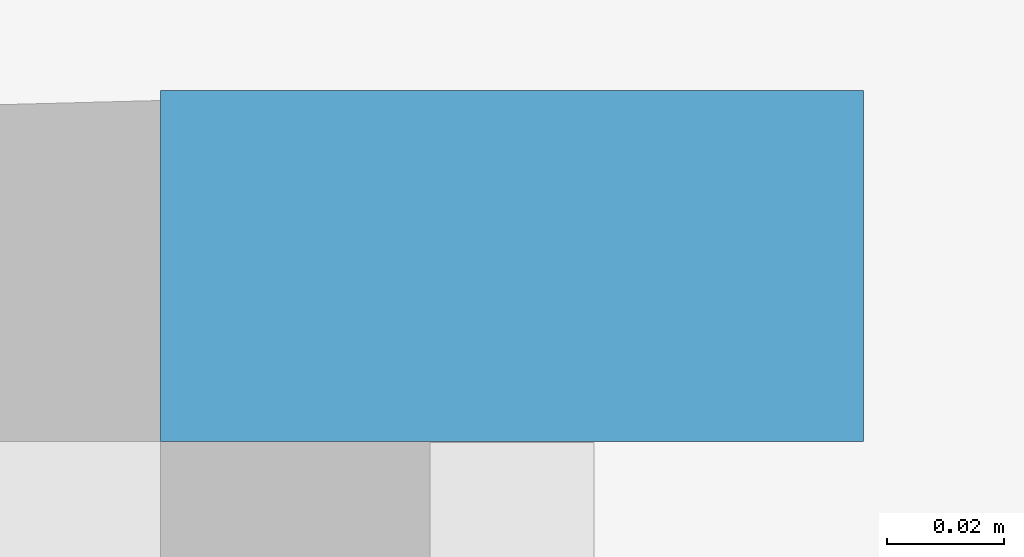
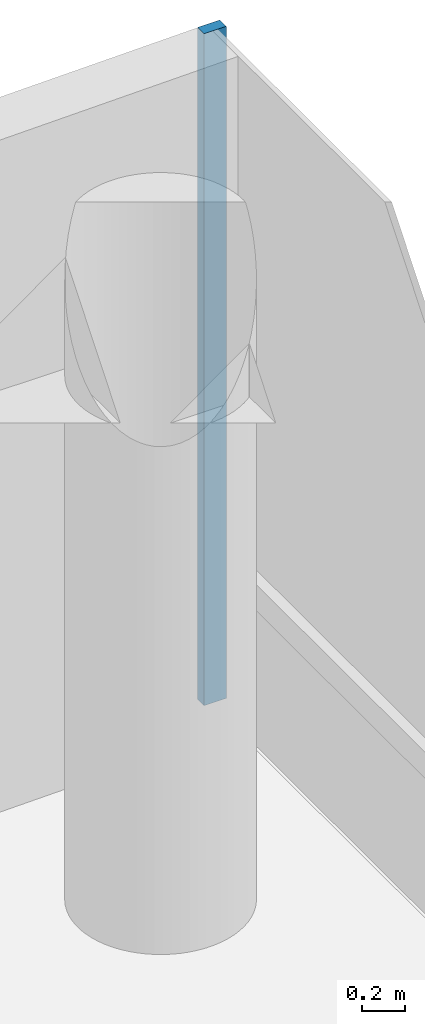
# One storey, part 14 of 20: 1 member, 1 element without a shape of its own.
"""IFC4 building model written with IfcOpenShell, lengths in metres."""

from ifc_helpers import new_model, si_unit, direction, frame, origin, origin_2d, place, context, subcontext, project, spatial, rectangle, extrude, material, layer, layer_set, material_profile, profile_set, type_object, element, aggregate, save


model = new_model("IFC4")

# Units and contexts
model_context = context("Model", 3, precision=1e-05, world=origin(), true_north=direction((0.0, 1.0)))
body_context = subcontext(model_context, "Body", "Model", "MODEL_VIEW")
ifc_project = project(units=[si_unit("LENGTHUNIT", "METRE"), si_unit("AREAUNIT", "SQUARE_METRE"), si_unit("VOLUMEUNIT", "CUBIC_METRE"), si_unit("PLANEANGLEUNIT", "RADIAN"), si_unit("MASSUNIT", "GRAM", prefix="KILO")], contexts=[model_context])

# Site, building, storey
site_placement = place(None, origin())
site = spatial("IfcSite", under=ifc_project, at=site_placement, CompositionType="ELEMENT")
building_placement = place(site_placement, origin())
building = spatial("IfcBuilding", under=site, at=building_placement, Name="Welwitschia Terrace Campus", CompositionType="ELEMENT")
storey_placement = place(building_placement, frame((0.0, 0.0, 222.199951171875)))
storey = spatial("IfcBuildingStorey", under=building, at=storey_placement, Name="L49", CompositionType="ELEMENT", Elevation=222.199951171875)

# Curtain wall, member
ifc_material_1 = material(Name="Bronze anodised aluminium", Category="aluminium")
ifc_layer = layer(ifc_material_1, 0.1201171875)
ifc_layer_set = layer_set([ifc_layer], Name="Bronze anodised aluminium")
curtain_wall_type = type_object("IfcCurtainWallType", Name="Curtain wall CW2 tower 6000", PredefinedType="NOTDEFINED", material=ifc_layer_set)
curtain_wall_placement = place(storey_placement, origin())
curtain_wall = element("IfcCurtainWall", 1, at=curtain_wall_placement, inside=storey, type_object=curtain_wall_type, Name="CW L49.8.0", PredefinedType="NOTDEFINED")
ifc_material_2 = material(Name="Bronze anodised aluminium", Category="aluminium")
ifc_material_profile = material_profile(ifc_material_2, rectangle(XDim=0.1201171875, YDim=0.06005859375, at=origin_2d()))
ifc_profile_set = profile_set([ifc_material_profile], Name="Bronze anodised aluminium")
member_type = type_object("IfcMemberType", Name="Mullion 60x120", PredefinedType="MULLION", material=ifc_profile_set)
member_placement = place(storey_placement, frame((25.030029296875, 71.301513671875, 0.0), z_axis=(0.0, 0.0, 1.0), x_axis=(-1.0, 0.0, 0.0)))
member = element("IfcMember", 2, at=member_placement, type_object=member_type, Name="Mullion L49.8.0.6", PredefinedType="MULLION", context=body_context, shape_type="SweptSolid", body=[
    extrude(rectangle(XDim=0.1201171875, YDim=0.06005859375, at=origin_2d()), origin(), (0.0, 0.0, 1.0), 3.85009765625),
])
aggregate(curtain_wall, [member])

save(model, "model.ifc")
